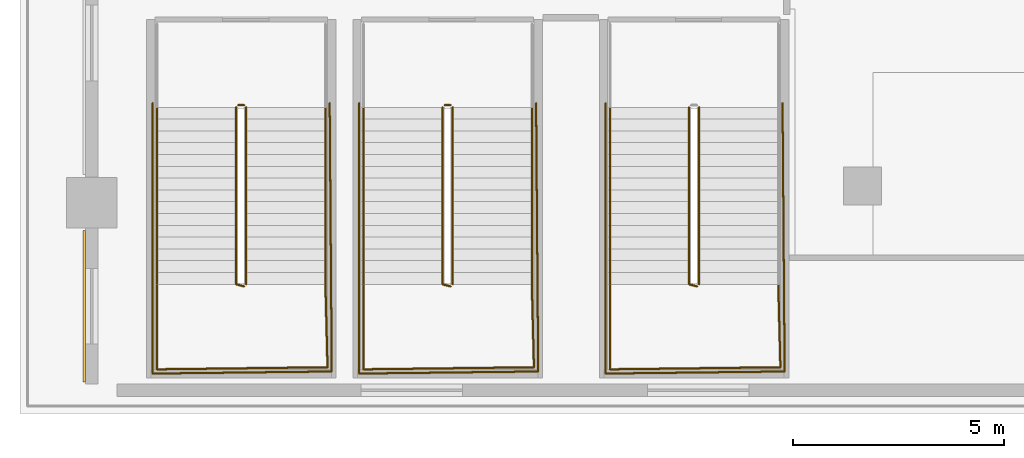
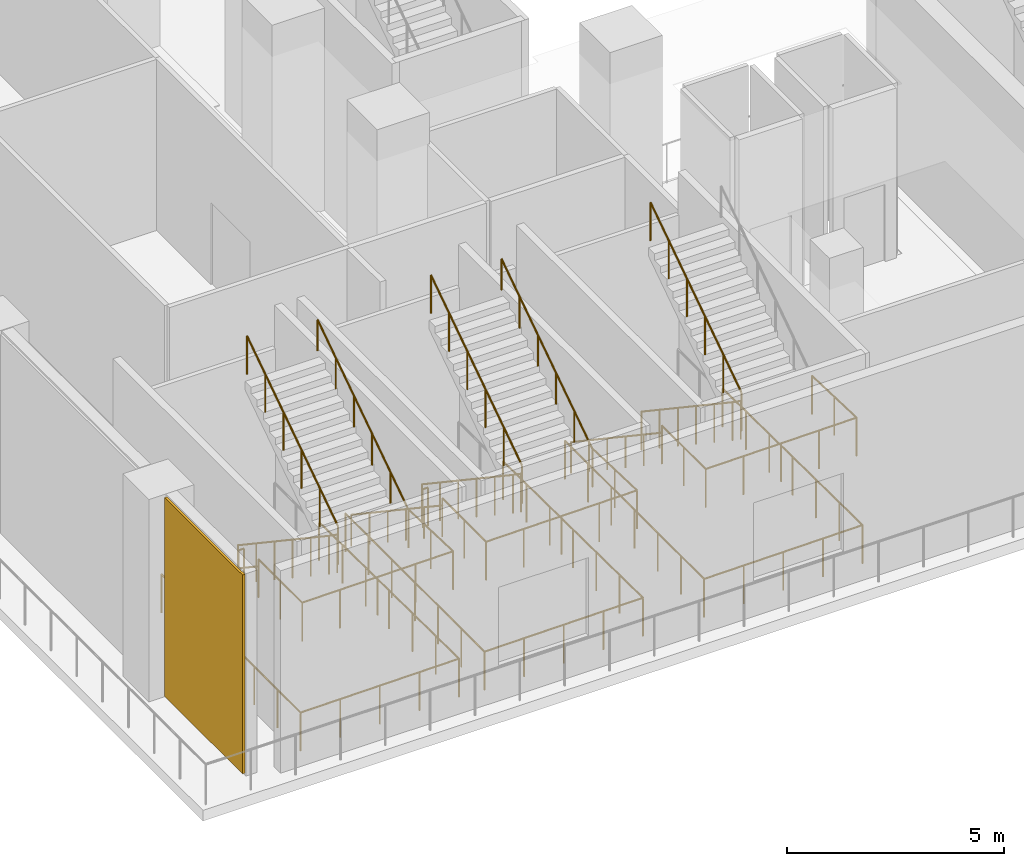
# One storey, part 15 of 29: 19 railings, 1 covering.
"""IFC4 building model written with IfcOpenShell, lengths in metres."""

from ifc_helpers import new_model, si_unit, direction, frame, origin, origin_2d, place, context, subcontext, project, spatial, rectangle, circle, extrude, material, layer, layer_set, type_object, element, save


model = new_model("IFC4")

# Units and contexts
model_context = context("Model", 3, precision=1e-05, world=origin(), true_north=direction((0.0, 1.0)))
body_context = subcontext(model_context, "Body", "Model", "MODEL_VIEW")
ifc_project = project(units=[si_unit("LENGTHUNIT", "METRE"), si_unit("AREAUNIT", "SQUARE_METRE"), si_unit("VOLUMEUNIT", "CUBIC_METRE"), si_unit("PLANEANGLEUNIT", "RADIAN"), si_unit("MASSUNIT", "GRAM", prefix="KILO")], contexts=[model_context])

# Site, building, storey
site_placement = place(None, origin())
site = spatial("IfcSite", under=ifc_project, at=site_placement, CompositionType="ELEMENT")
building_placement = place(site_placement, origin())
building = spatial("IfcBuilding", under=site, at=building_placement, Name="Ndaravel Arena Tower", CompositionType="ELEMENT")
storey_placement = place(building_placement, frame((0.0, 0.0, 12.0)))
storey = spatial("IfcBuildingStorey", under=building, at=storey_placement, Name="L02", CompositionType="ELEMENT", Elevation=12.0)

# Covering
ifc_material_1 = material(Name="Masonry", Category="masonry")
ifc_layer_1 = layer(ifc_material_1, 0.06005859375)
ifc_layer_set_1 = layer_set([ifc_layer_1], Name="Masonry")
covering_type = type_object("IfcCoveringType", Name="COV-STONE-CLAD", PredefinedType="CLADDING", material=ifc_layer_set_1)
covering_placement = place(storey_placement, frame((1.52001953125, 2.550048828125, 0.050048828125), z_axis=(0.0, 0.0, 1.0), x_axis=(1.0, 0.0, 0.0)))
element("IfcCovering", 1, at=covering_placement, inside=storey, type_object=covering_type, Name="L02 Honed Mazeras Ashlar Panel W1", PredefinedType="CLADDING", context=body_context, shape_type="SweptSolid", body=[
    extrude(rectangle(XDim=0.06005859375, YDim=3.60009765625, at=origin_2d()), origin(), (0.0, 0.0, 1.0), 5.60009765625),
])

# Railings
ifc_material_2 = material(Name="Steel S355", Category="steel")
ifc_layer_2 = layer(ifc_material_2, 0.06005859375)
ifc_layer_set_2 = layer_set([ifc_layer_2], Name="Steel S355")
railing_type_1 = type_object("IfcRailingType", Name="RAIL-STAIR-GD1100", PredefinedType="GUARDRAIL", material=ifc_layer_set_2)
railing_1_placement = place(storey_placement, frame((5.1298828125, 7.27001953125, 0.1875)))
element("IfcRailing", 2, at=railing_1_placement, inside=storey, type_object=railing_type_1, Name="L02 ST-A01 stair guard 1", PredefinedType="GUARDRAIL", context=body_context, shape_type="SweptSolid", body=[
    extrude(circle(Radius=0.02392578125, at=origin_2d()), frame((0.0, 0.0, 1.076171875), z_axis=(0.0, -0.830904186295, 0.556415522067), x_axis=(1.0, 0.0, 0.0)), (0.0, 0.0, 1.0), 5.0546875),
    extrude(circle(Radius=0.02392578125, at=origin_2d()), frame((0.0, -4.199951171875, 3.888671875), z_axis=(0.967074537263, -0.25449329928, 0.0), x_axis=(0.25449329928, 0.967074537263, 0.0)), (0.0, 0.0, 1.0), 0.19677734375),
    extrude(circle(Radius=0.02099609375, at=origin_2d()), origin(), (0.0, 0.0, 1.0), 1.052001953125),
    extrude(circle(Radius=0.02099609375, at=origin_2d()), frame((0.0, -0.840087890625, 0.5625)), (0.0, 0.0, 1.0), 1.052001953125),
    extrude(circle(Radius=0.02099609375, at=origin_2d()), frame((0.0, -1.679931640625, 1.125)), (0.0, 0.0, 1.0), 1.052001953125),
    extrude(circle(Radius=0.02099609375, at=origin_2d()), frame((0.0, -2.52001953125, 1.6875)), (0.0, 0.0, 1.0), 1.052001953125),
    extrude(circle(Radius=0.02099609375, at=origin_2d()), frame((0.0, -3.35986328125, 2.25)), (0.0, 0.0, 1.0), 1.052001953125),
    extrude(circle(Radius=0.02099609375, at=origin_2d()), frame((0.0, -4.199951171875, 2.8125)), (0.0, 0.0, 1.0), 1.052001953125),
    extrude(circle(Radius=0.02099609375, at=origin_2d()), frame((0.190185546875, -4.25, 2.8125)), (0.0, 0.0, 1.0), 1.052001953125),
])
railing_2_placement = place(storey_placement, frame((3.25, 3.070068359375, 3.0)))
element("IfcRailing", 3, at=railing_2_placement, inside=storey, type_object=railing_type_1, Name="L02 ST-A01 stair guard 2", PredefinedType="GUARDRAIL", context=body_context, shape_type="SweptSolid", body=[
    extrude(circle(Radius=0.02392578125, at=origin_2d()), frame((0.0, 0.0, 1.076171875), z_axis=(0.0, -1.0, 0.0), x_axis=(1.0, 0.0, 0.0)), (0.0, 0.0, 1.0), 2.02001953125),
    extrude(circle(Radius=0.02392578125, at=origin_2d()), frame((0.0, -2.02001953125, 1.076171875), z_axis=(0.999923653774, 0.012356642897, 0.0), x_axis=(-0.012356642897, 0.999923653774, 0.0)), (0.0, 0.0, 1.0), 4.05029296875),
    extrude(circle(Radius=0.02392578125, at=origin_2d()), frame((4.050048828125, -1.969970703125, 1.076171875), z_axis=(-0.025397679083, 0.999677426922, 0.0), x_axis=(-0.999677426922, -0.025397679083, 0.0)), (0.0, 0.0, 1.0), 1.970703125),
    extrude(circle(Radius=0.02099609375, at=origin_2d()), origin(), (0.0, 0.0, 1.0), 1.052001953125),
    extrude(circle(Radius=0.02099609375, at=origin_2d()), frame((0.0, -1.010009765625, 0.0)), (0.0, 0.0, 1.0), 1.052001953125),
    extrude(circle(Radius=0.02099609375, at=origin_2d()), frame((0.0, -2.02001953125, 0.0)), (0.0, 0.0, 1.0), 1.052001953125),
    extrude(circle(Radius=0.02099609375, at=origin_2d()), frame((1.012451171875, -2.007568359375, 0.0)), (0.0, 0.0, 1.0), 1.052001953125),
    extrude(circle(Radius=0.02099609375, at=origin_2d()), frame((2.02490234375, -1.9951171875, 0.0)), (0.0, 0.0, 1.0), 1.052001953125),
    extrude(circle(Radius=0.02099609375, at=origin_2d()), frame((3.03759765625, -1.982421875, 0.0)), (0.0, 0.0, 1.0), 1.052001953125),
    extrude(circle(Radius=0.02099609375, at=origin_2d()), frame((4.050048828125, -1.969970703125, 0.0)), (0.0, 0.0, 1.0), 1.052001953125),
    extrude(circle(Radius=0.02099609375, at=origin_2d()), frame((4.02490234375, -0.98486328125, 0.0)), (0.0, 0.0, 1.0), 1.052001953125),
    extrude(circle(Radius=0.02099609375, at=origin_2d()), frame((4.0, 0.0, 0.0)), (0.0, 0.0, 1.0), 1.052001953125),
])
railing_3_placement = place(storey_placement, frame((5.3701171875, 3.070068359375, 3.1875)))
element("IfcRailing", 4, at=railing_3_placement, inside=storey, type_object=railing_type_1, Name="L02 ST-A01 stair guard 3", PredefinedType="GUARDRAIL", context=body_context, shape_type="SweptSolid", body=[
    extrude(circle(Radius=0.02392578125, at=origin_2d()), frame((0.0, 0.0, 1.076171875), z_axis=(0.0, 0.830904186295, 0.556415522067), x_axis=(-1.0, 0.0, 0.0)), (0.0, 0.0, 1.0), 5.0546875),
    extrude(circle(Radius=0.02099609375, at=origin_2d()), origin(), (0.0, 0.0, 1.0), 1.052001953125),
    extrude(circle(Radius=0.02099609375, at=origin_2d()), frame((0.0, 0.840087890625, 0.5625)), (0.0, 0.0, 1.0), 1.052001953125),
    extrude(circle(Radius=0.02099609375, at=origin_2d()), frame((0.0, 1.679931640625, 1.125)), (0.0, 0.0, 1.0), 1.052001953125),
    extrude(circle(Radius=0.02099609375, at=origin_2d()), frame((0.0, 2.52001953125, 1.6875)), (0.0, 0.0, 1.0), 1.052001953125),
    extrude(circle(Radius=0.02099609375, at=origin_2d()), frame((0.0, 3.35986328125, 2.25)), (0.0, 0.0, 1.0), 1.052001953125),
    extrude(circle(Radius=0.02099609375, at=origin_2d()), frame((0.0, 4.199951171875, 2.8125)), (0.0, 0.0, 1.0), 1.052001953125),
])
railing_4_placement = place(storey_placement, frame((5.179931640625, 7.320068359375, 0.0)))
element("IfcRailing", 5, at=railing_4_placement, inside=storey, type_object=railing_type_1, Name="L02 ST-A01 stair guard 4", PredefinedType="GUARDRAIL", context=body_context, shape_type="SweptSolid", body=[
    extrude(circle(Radius=0.02392578125, at=origin_2d()), frame((0.0, 0.0, 1.076171875), z_axis=(1.0, 0.0, 0.0), x_axis=(0.0, 1.0, 0.0)), (0.0, 0.0, 1.0), 0.14013671875),
    extrude(circle(Radius=0.02099609375, at=origin_2d()), origin(), (0.0, 0.0, 1.0), 1.052001953125),
    extrude(circle(Radius=0.02099609375, at=origin_2d()), frame((0.14013671875, 0.0, 0.0)), (0.0, 0.0, 1.0), 1.052001953125),
])
railing_5_placement = place(storey_placement, frame((3.14990234375, 7.3701171875, 0.0)))
element("IfcRailing", 6, at=railing_5_placement, inside=storey, type_object=railing_type_1, Name="L02 ST-A01 stair guard 7", PredefinedType="GUARDRAIL", context=body_context, shape_type="SweptSolid", body=[
    extrude(circle(Radius=0.02392578125, at=origin_2d()), frame((0.0, 0.0, 1.076171875), z_axis=(0.0, -1.0, 0.0), x_axis=(1.0, 0.0, 0.0)), (0.0, 0.0, 1.0), 6.420166015625),
    extrude(circle(Radius=0.02392578125, at=origin_2d()), frame((0.0, -6.420166015625, 1.076171875), z_axis=(0.999930667828, 0.011775378384, 0.0), x_axis=(-0.011775378384, 0.999930667828, 0.0)), (0.0, 0.0, 1.0), 4.250244140625),
    extrude(circle(Radius=0.02392578125, at=origin_2d()), frame((4.25, -6.3701171875, 1.076171875), z_axis=(-0.007818249469, 0.999969437021, 0.0), x_axis=(-0.999969437021, -0.007818249469, 0.0)), (0.0, 0.0, 1.0), 6.370361328125),
    extrude(circle(Radius=0.02099609375, at=origin_2d()), origin(), (0.0, 0.0, 1.0), 1.052001953125),
    extrude(circle(Radius=0.02099609375, at=origin_2d()), frame((0.0, -1.070068359375, 0.0)), (0.0, 0.0, 1.0), 1.052001953125),
    extrude(circle(Radius=0.02099609375, at=origin_2d()), frame((0.0, -2.14013671875, 0.0)), (0.0, 0.0, 1.0), 1.052001953125),
    extrude(circle(Radius=0.02099609375, at=origin_2d()), frame((0.0, -3.2099609375, 0.0)), (0.0, 0.0, 1.0), 1.052001953125),
    extrude(circle(Radius=0.02099609375, at=origin_2d()), frame((0.0, -4.280029296875, 0.0)), (0.0, 0.0, 1.0), 1.052001953125),
    extrude(circle(Radius=0.02099609375, at=origin_2d()), frame((0.0, -5.35009765625, 0.0)), (0.0, 0.0, 1.0), 1.052001953125),
    extrude(circle(Radius=0.02099609375, at=origin_2d()), frame((0.0, -6.420166015625, 0.0)), (0.0, 0.0, 1.0), 1.052001953125),
    extrude(circle(Radius=0.02099609375, at=origin_2d()), frame((1.0625, -6.40771484375, 0.0)), (0.0, 0.0, 1.0), 1.052001953125),
    extrude(circle(Radius=0.02099609375, at=origin_2d()), frame((2.125, -6.39501953125, 0.0)), (0.0, 0.0, 1.0), 1.052001953125),
    extrude(circle(Radius=0.02099609375, at=origin_2d()), frame((3.1875, -6.382568359375, 0.0)), (0.0, 0.0, 1.0), 1.052001953125),
    extrude(circle(Radius=0.02099609375, at=origin_2d()), frame((4.25, -6.3701171875, 0.0)), (0.0, 0.0, 1.0), 1.052001953125),
    extrude(circle(Radius=0.02099609375, at=origin_2d()), frame((4.24169921875, -5.308349609375, 0.0)), (0.0, 0.0, 1.0), 1.052001953125),
    extrude(circle(Radius=0.02099609375, at=origin_2d()), frame((4.2333984375, -4.246826171875, 0.0)), (0.0, 0.0, 1.0), 1.052001953125),
    extrude(circle(Radius=0.02099609375, at=origin_2d()), frame((4.22509765625, -3.18505859375, 0.0)), (0.0, 0.0, 1.0), 1.052001953125),
    extrude(circle(Radius=0.02099609375, at=origin_2d()), frame((4.216796875, -2.123291015625, 0.0)), (0.0, 0.0, 1.0), 1.052001953125),
    extrude(circle(Radius=0.02099609375, at=origin_2d()), frame((4.20849609375, -1.061767578125, 0.0)), (0.0, 0.0, 1.0), 1.052001953125),
    extrude(circle(Radius=0.02099609375, at=origin_2d()), frame((4.2001953125, 0.0, 0.0)), (0.0, 0.0, 1.0), 1.052001953125),
])
railing_6_placement = place(storey_placement, frame((10.030029296875, 7.27001953125, 0.1875)))
element("IfcRailing", 7, at=railing_6_placement, inside=storey, type_object=railing_type_1, Name="L02 ST-A02 stair guard 1", PredefinedType="GUARDRAIL", context=body_context, shape_type="SweptSolid", body=[
    extrude(circle(Radius=0.02392578125, at=origin_2d()), frame((0.0, 0.0, 1.076171875), z_axis=(0.0, -0.830904186295, 0.556415522067), x_axis=(1.0, 0.0, 0.0)), (0.0, 0.0, 1.0), 5.0546875),
    extrude(circle(Radius=0.02392578125, at=origin_2d()), frame((0.0, -4.199951171875, 3.888671875), z_axis=(0.966993988697, -0.254799187253, 0.0), x_axis=(0.254799187253, 0.966993988697, 0.0)), (0.0, 0.0, 1.0), 0.196533203125),
    extrude(circle(Radius=0.02099609375, at=origin_2d()), origin(), (0.0, 0.0, 1.0), 1.052001953125),
    extrude(circle(Radius=0.02099609375, at=origin_2d()), frame((0.0, -0.840087890625, 0.5625)), (0.0, 0.0, 1.0), 1.052001953125),
    extrude(circle(Radius=0.02099609375, at=origin_2d()), frame((0.0, -1.679931640625, 1.125)), (0.0, 0.0, 1.0), 1.052001953125),
    extrude(circle(Radius=0.02099609375, at=origin_2d()), frame((0.0, -2.52001953125, 1.6875)), (0.0, 0.0, 1.0), 1.052001953125),
    extrude(circle(Radius=0.02099609375, at=origin_2d()), frame((0.0, -3.35986328125, 2.25)), (0.0, 0.0, 1.0), 1.052001953125),
    extrude(circle(Radius=0.02099609375, at=origin_2d()), frame((0.0, -4.199951171875, 2.8125)), (0.0, 0.0, 1.0), 1.052001953125),
    extrude(circle(Radius=0.02099609375, at=origin_2d()), frame((0.18994140625, -4.25, 2.8125)), (0.0, 0.0, 1.0), 1.052001953125),
])
railing_7_placement = place(storey_placement, frame((8.14990234375, 3.070068359375, 3.0)))
element("IfcRailing", 8, at=railing_7_placement, inside=storey, type_object=railing_type_1, Name="L02 ST-A02 stair guard 2", PredefinedType="GUARDRAIL", context=body_context, shape_type="SweptSolid", body=[
    extrude(circle(Radius=0.02392578125, at=origin_2d()), frame((0.0, 0.0, 1.076171875), z_axis=(0.0, -1.0, 0.0), x_axis=(1.0, 0.0, 0.0)), (0.0, 0.0, 1.0), 2.02001953125),
    extrude(circle(Radius=0.02392578125, at=origin_2d()), frame((0.0, -2.02001953125, 1.076171875), z_axis=(0.999923653774, 0.012356642897, 0.0), x_axis=(-0.012356642897, 0.999923653774, 0.0)), (0.0, 0.0, 1.0), 4.05029296875),
    extrude(circle(Radius=0.02392578125, at=origin_2d()), frame((4.050048828125, -1.969970703125, 1.076171875), z_axis=(-0.025397679083, 0.999677426922, 0.0), x_axis=(-0.999677426922, -0.025397679083, 0.0)), (0.0, 0.0, 1.0), 1.970703125),
    extrude(circle(Radius=0.02099609375, at=origin_2d()), origin(), (0.0, 0.0, 1.0), 1.052001953125),
    extrude(circle(Radius=0.02099609375, at=origin_2d()), frame((0.0, -1.010009765625, 0.0)), (0.0, 0.0, 1.0), 1.052001953125),
    extrude(circle(Radius=0.02099609375, at=origin_2d()), frame((0.0, -2.02001953125, 0.0)), (0.0, 0.0, 1.0), 1.052001953125),
    extrude(circle(Radius=0.02099609375, at=origin_2d()), frame((1.012451171875, -2.007568359375, 0.0)), (0.0, 0.0, 1.0), 1.052001953125),
    extrude(circle(Radius=0.02099609375, at=origin_2d()), frame((2.02490234375, -1.9951171875, 0.0)), (0.0, 0.0, 1.0), 1.052001953125),
    extrude(circle(Radius=0.02099609375, at=origin_2d()), frame((3.03759765625, -1.982421875, 0.0)), (0.0, 0.0, 1.0), 1.052001953125),
    extrude(circle(Radius=0.02099609375, at=origin_2d()), frame((4.050048828125, -1.969970703125, 0.0)), (0.0, 0.0, 1.0), 1.052001953125),
    extrude(circle(Radius=0.02099609375, at=origin_2d()), frame((4.02490234375, -0.98486328125, 0.0)), (0.0, 0.0, 1.0), 1.052001953125),
    extrude(circle(Radius=0.02099609375, at=origin_2d()), frame((4.0, 0.0, 0.0)), (0.0, 0.0, 1.0), 1.052001953125),
])
railing_8_placement = place(storey_placement, frame((10.27001953125, 3.070068359375, 3.1875)))
element("IfcRailing", 9, at=railing_8_placement, inside=storey, type_object=railing_type_1, Name="L02 ST-A02 stair guard 3", PredefinedType="GUARDRAIL", context=body_context, shape_type="SweptSolid", body=[
    extrude(circle(Radius=0.02392578125, at=origin_2d()), frame((0.0, 0.0, 1.076171875), z_axis=(0.0, 0.830904186295, 0.556415522067), x_axis=(-1.0, 0.0, 0.0)), (0.0, 0.0, 1.0), 5.0546875),
    extrude(circle(Radius=0.02099609375, at=origin_2d()), origin(), (0.0, 0.0, 1.0), 1.052001953125),
    extrude(circle(Radius=0.02099609375, at=origin_2d()), frame((0.0, 0.840087890625, 0.5625)), (0.0, 0.0, 1.0), 1.052001953125),
    extrude(circle(Radius=0.02099609375, at=origin_2d()), frame((0.0, 1.679931640625, 1.125)), (0.0, 0.0, 1.0), 1.052001953125),
    extrude(circle(Radius=0.02099609375, at=origin_2d()), frame((0.0, 2.52001953125, 1.6875)), (0.0, 0.0, 1.0), 1.052001953125),
    extrude(circle(Radius=0.02099609375, at=origin_2d()), frame((0.0, 3.35986328125, 2.25)), (0.0, 0.0, 1.0), 1.052001953125),
    extrude(circle(Radius=0.02099609375, at=origin_2d()), frame((0.0, 4.199951171875, 2.8125)), (0.0, 0.0, 1.0), 1.052001953125),
])
railing_9_placement = place(storey_placement, frame((10.080078125, 7.320068359375, 0.0)))
element("IfcRailing", 10, at=railing_9_placement, inside=storey, type_object=railing_type_1, Name="L02 ST-A02 stair guard 4", PredefinedType="GUARDRAIL", context=body_context, shape_type="SweptSolid", body=[
    extrude(circle(Radius=0.02392578125, at=origin_2d()), frame((0.0, 0.0, 1.076171875), z_axis=(1.0, 0.0, 0.0), x_axis=(0.0, 1.0, 0.0)), (0.0, 0.0, 1.0), 0.139892578125),
    extrude(circle(Radius=0.02099609375, at=origin_2d()), origin(), (0.0, 0.0, 1.0), 1.052001953125),
    extrude(circle(Radius=0.02099609375, at=origin_2d()), frame((0.139892578125, 0.0, 0.0)), (0.0, 0.0, 1.0), 1.052001953125),
])
railing_10_placement = place(storey_placement, frame((8.050048828125, 7.3701171875, 0.0)))
element("IfcRailing", 11, at=railing_10_placement, inside=storey, type_object=railing_type_1, Name="L02 ST-A02 stair guard 7", PredefinedType="GUARDRAIL", context=body_context, shape_type="SweptSolid", body=[
    extrude(circle(Radius=0.02392578125, at=origin_2d()), frame((0.0, 0.0, 1.076171875), z_axis=(0.0, -1.0, 0.0), x_axis=(1.0, 0.0, 0.0)), (0.0, 0.0, 1.0), 6.420166015625),
    extrude(circle(Radius=0.02392578125, at=origin_2d()), frame((0.0, -6.420166015625, 1.076171875), z_axis=(0.999930667828, 0.011775378384, 0.0), x_axis=(-0.011775378384, 0.999930667828, 0.0)), (0.0, 0.0, 1.0), 4.250244140625),
    extrude(circle(Radius=0.02392578125, at=origin_2d()), frame((4.25, -6.3701171875, 1.076171875), z_axis=(-0.007856571862, 0.999969136663, 0.0), x_axis=(-0.999969136663, -0.007856571862, 0.0)), (0.0, 0.0, 1.0), 6.370361328125),
    extrude(circle(Radius=0.02099609375, at=origin_2d()), origin(), (0.0, 0.0, 1.0), 1.052001953125),
    extrude(circle(Radius=0.02099609375, at=origin_2d()), frame((0.0, -1.070068359375, 0.0)), (0.0, 0.0, 1.0), 1.052001953125),
    extrude(circle(Radius=0.02099609375, at=origin_2d()), frame((0.0, -2.14013671875, 0.0)), (0.0, 0.0, 1.0), 1.052001953125),
    extrude(circle(Radius=0.02099609375, at=origin_2d()), frame((0.0, -3.2099609375, 0.0)), (0.0, 0.0, 1.0), 1.052001953125),
    extrude(circle(Radius=0.02099609375, at=origin_2d()), frame((0.0, -4.280029296875, 0.0)), (0.0, 0.0, 1.0), 1.052001953125),
    extrude(circle(Radius=0.02099609375, at=origin_2d()), frame((0.0, -5.35009765625, 0.0)), (0.0, 0.0, 1.0), 1.052001953125),
    extrude(circle(Radius=0.02099609375, at=origin_2d()), frame((0.0, -6.420166015625, 0.0)), (0.0, 0.0, 1.0), 1.052001953125),
    extrude(circle(Radius=0.02099609375, at=origin_2d()), frame((1.0625, -6.40771484375, 0.0)), (0.0, 0.0, 1.0), 1.052001953125),
    extrude(circle(Radius=0.02099609375, at=origin_2d()), frame((2.125, -6.39501953125, 0.0)), (0.0, 0.0, 1.0), 1.052001953125),
    extrude(circle(Radius=0.02099609375, at=origin_2d()), frame((3.1875, -6.382568359375, 0.0)), (0.0, 0.0, 1.0), 1.052001953125),
    extrude(circle(Radius=0.02099609375, at=origin_2d()), frame((4.25, -6.3701171875, 0.0)), (0.0, 0.0, 1.0), 1.052001953125),
    extrude(circle(Radius=0.02099609375, at=origin_2d()), frame((4.24169921875, -5.308349609375, 0.0)), (0.0, 0.0, 1.0), 1.052001953125),
    extrude(circle(Radius=0.02099609375, at=origin_2d()), frame((4.2333984375, -4.246826171875, 0.0)), (0.0, 0.0, 1.0), 1.052001953125),
    extrude(circle(Radius=0.02099609375, at=origin_2d()), frame((4.22509765625, -3.18505859375, 0.0)), (0.0, 0.0, 1.0), 1.052001953125),
    extrude(circle(Radius=0.02099609375, at=origin_2d()), frame((4.216552734375, -2.123291015625, 0.0)), (0.0, 0.0, 1.0), 1.052001953125),
    extrude(circle(Radius=0.02099609375, at=origin_2d()), frame((4.208251953125, -1.061767578125, 0.0)), (0.0, 0.0, 1.0), 1.052001953125),
    extrude(circle(Radius=0.02099609375, at=origin_2d()), frame((4.199951171875, 0.0, 0.0)), (0.0, 0.0, 1.0), 1.052001953125),
])
railing_11_placement = place(storey_placement, frame((15.8798828125, 7.27001953125, 0.1875)))
element("IfcRailing", 12, at=railing_11_placement, inside=storey, type_object=railing_type_1, Name="L02 ST-A03 stair guard 1", PredefinedType="GUARDRAIL", context=body_context, shape_type="SweptSolid", body=[
    extrude(circle(Radius=0.02392578125, at=origin_2d()), frame((0.0, 0.0, 1.076171875), z_axis=(0.0, -0.830904186295, 0.556415522067), x_axis=(1.0, 0.0, 0.0)), (0.0, 0.0, 1.0), 5.0546875),
    extrude(circle(Radius=0.02392578125, at=origin_2d()), frame((0.0, -4.199951171875, 3.888671875), z_axis=(0.967074537263, -0.25449329928, 0.0), x_axis=(0.25449329928, 0.967074537263, 0.0)), (0.0, 0.0, 1.0), 0.19677734375),
    extrude(circle(Radius=0.02099609375, at=origin_2d()), origin(), (0.0, 0.0, 1.0), 1.052001953125),
    extrude(circle(Radius=0.02099609375, at=origin_2d()), frame((0.0, -0.840087890625, 0.5625)), (0.0, 0.0, 1.0), 1.052001953125),
    extrude(circle(Radius=0.02099609375, at=origin_2d()), frame((0.0, -1.679931640625, 1.125)), (0.0, 0.0, 1.0), 1.052001953125),
    extrude(circle(Radius=0.02099609375, at=origin_2d()), frame((0.0, -2.52001953125, 1.6875)), (0.0, 0.0, 1.0), 1.052001953125),
    extrude(circle(Radius=0.02099609375, at=origin_2d()), frame((0.0, -3.35986328125, 2.25)), (0.0, 0.0, 1.0), 1.052001953125),
    extrude(circle(Radius=0.02099609375, at=origin_2d()), frame((0.0, -4.199951171875, 2.8125)), (0.0, 0.0, 1.0), 1.052001953125),
    extrude(circle(Radius=0.02099609375, at=origin_2d()), frame((0.190185546875, -4.25, 2.8125)), (0.0, 0.0, 1.0), 1.052001953125),
])
railing_12_placement = place(storey_placement, frame((14.0, 3.070068359375, 3.0)))
element("IfcRailing", 13, at=railing_12_placement, inside=storey, type_object=railing_type_1, Name="L02 ST-A03 stair guard 2", PredefinedType="GUARDRAIL", context=body_context, shape_type="SweptSolid", body=[
    extrude(circle(Radius=0.02392578125, at=origin_2d()), frame((0.0, 0.0, 1.076171875), z_axis=(0.0, -1.0, 0.0), x_axis=(1.0, 0.0, 0.0)), (0.0, 0.0, 1.0), 2.02001953125),
    extrude(circle(Radius=0.02392578125, at=origin_2d()), frame((0.0, -2.02001953125, 1.076171875), z_axis=(0.999923653774, 0.012356642897, 0.0), x_axis=(-0.012356642897, 0.999923653774, 0.0)), (0.0, 0.0, 1.0), 4.05029296875),
    extrude(circle(Radius=0.02392578125, at=origin_2d()), frame((4.050048828125, -1.969970703125, 1.076171875), z_axis=(-0.025397679083, 0.999677426922, 0.0), x_axis=(-0.999677426922, -0.025397679083, 0.0)), (0.0, 0.0, 1.0), 1.970703125),
    extrude(circle(Radius=0.02099609375, at=origin_2d()), origin(), (0.0, 0.0, 1.0), 1.052001953125),
    extrude(circle(Radius=0.02099609375, at=origin_2d()), frame((0.0, -1.010009765625, 0.0)), (0.0, 0.0, 1.0), 1.052001953125),
    extrude(circle(Radius=0.02099609375, at=origin_2d()), frame((0.0, -2.02001953125, 0.0)), (0.0, 0.0, 1.0), 1.052001953125),
    extrude(circle(Radius=0.02099609375, at=origin_2d()), frame((1.012451171875, -2.007568359375, 0.0)), (0.0, 0.0, 1.0), 1.052001953125),
    extrude(circle(Radius=0.02099609375, at=origin_2d()), frame((2.02490234375, -1.9951171875, 0.0)), (0.0, 0.0, 1.0), 1.052001953125),
    extrude(circle(Radius=0.02099609375, at=origin_2d()), frame((3.03759765625, -1.982421875, 0.0)), (0.0, 0.0, 1.0), 1.052001953125),
    extrude(circle(Radius=0.02099609375, at=origin_2d()), frame((4.050048828125, -1.969970703125, 0.0)), (0.0, 0.0, 1.0), 1.052001953125),
    extrude(circle(Radius=0.02099609375, at=origin_2d()), frame((4.02490234375, -0.98486328125, 0.0)), (0.0, 0.0, 1.0), 1.052001953125),
    extrude(circle(Radius=0.02099609375, at=origin_2d()), frame((4.0, 0.0, 0.0)), (0.0, 0.0, 1.0), 1.052001953125),
])
railing_13_placement = place(storey_placement, frame((16.1201171875, 3.070068359375, 3.1875)))
element("IfcRailing", 14, at=railing_13_placement, inside=storey, type_object=railing_type_1, Name="L02 ST-A03 stair guard 3", PredefinedType="GUARDRAIL", context=body_context, shape_type="SweptSolid", body=[
    extrude(circle(Radius=0.02392578125, at=origin_2d()), frame((0.0, 0.0, 1.076171875), z_axis=(0.0, 0.830904186295, 0.556415522067), x_axis=(-1.0, 0.0, 0.0)), (0.0, 0.0, 1.0), 5.0546875),
    extrude(circle(Radius=0.02099609375, at=origin_2d()), origin(), (0.0, 0.0, 1.0), 1.052001953125),
    extrude(circle(Radius=0.02099609375, at=origin_2d()), frame((0.0, 0.840087890625, 0.5625)), (0.0, 0.0, 1.0), 1.052001953125),
    extrude(circle(Radius=0.02099609375, at=origin_2d()), frame((0.0, 1.679931640625, 1.125)), (0.0, 0.0, 1.0), 1.052001953125),
    extrude(circle(Radius=0.02099609375, at=origin_2d()), frame((0.0, 2.52001953125, 1.6875)), (0.0, 0.0, 1.0), 1.052001953125),
    extrude(circle(Radius=0.02099609375, at=origin_2d()), frame((0.0, 3.35986328125, 2.25)), (0.0, 0.0, 1.0), 1.052001953125),
    extrude(circle(Radius=0.02099609375, at=origin_2d()), frame((0.0, 4.199951171875, 2.8125)), (0.0, 0.0, 1.0), 1.052001953125),
])
railing_14_placement = place(storey_placement, frame((13.89990234375, 7.3701171875, 0.0)))
element("IfcRailing", 15, at=railing_14_placement, inside=storey, type_object=railing_type_1, Name="L02 ST-A03 stair guard 7", PredefinedType="GUARDRAIL", context=body_context, shape_type="SweptSolid", body=[
    extrude(circle(Radius=0.02392578125, at=origin_2d()), frame((0.0, 0.0, 1.076171875), z_axis=(0.0, -1.0, 0.0), x_axis=(1.0, 0.0, 0.0)), (0.0, 0.0, 1.0), 6.420166015625),
    extrude(circle(Radius=0.02392578125, at=origin_2d()), frame((0.0, -6.420166015625, 1.076171875), z_axis=(0.999930667828, 0.011775378384, 0.0), x_axis=(-0.011775378384, 0.999930667828, 0.0)), (0.0, 0.0, 1.0), 4.250244140625),
    extrude(circle(Radius=0.02392578125, at=origin_2d()), frame((4.25, -6.3701171875, 1.076171875), z_axis=(-0.007818249469, 0.999969437021, 0.0), x_axis=(-0.999969437021, -0.007818249469, 0.0)), (0.0, 0.0, 1.0), 6.370361328125),
    extrude(circle(Radius=0.02099609375, at=origin_2d()), origin(), (0.0, 0.0, 1.0), 1.052001953125),
    extrude(circle(Radius=0.02099609375, at=origin_2d()), frame((0.0, -1.070068359375, 0.0)), (0.0, 0.0, 1.0), 1.052001953125),
    extrude(circle(Radius=0.02099609375, at=origin_2d()), frame((0.0, -2.14013671875, 0.0)), (0.0, 0.0, 1.0), 1.052001953125),
    extrude(circle(Radius=0.02099609375, at=origin_2d()), frame((0.0, -3.2099609375, 0.0)), (0.0, 0.0, 1.0), 1.052001953125),
    extrude(circle(Radius=0.02099609375, at=origin_2d()), frame((0.0, -4.280029296875, 0.0)), (0.0, 0.0, 1.0), 1.052001953125),
    extrude(circle(Radius=0.02099609375, at=origin_2d()), frame((0.0, -5.35009765625, 0.0)), (0.0, 0.0, 1.0), 1.052001953125),
    extrude(circle(Radius=0.02099609375, at=origin_2d()), frame((0.0, -6.420166015625, 0.0)), (0.0, 0.0, 1.0), 1.052001953125),
    extrude(circle(Radius=0.02099609375, at=origin_2d()), frame((1.0625, -6.40771484375, 0.0)), (0.0, 0.0, 1.0), 1.052001953125),
    extrude(circle(Radius=0.02099609375, at=origin_2d()), frame((2.125, -6.39501953125, 0.0)), (0.0, 0.0, 1.0), 1.052001953125),
    extrude(circle(Radius=0.02099609375, at=origin_2d()), frame((3.1875, -6.382568359375, 0.0)), (0.0, 0.0, 1.0), 1.052001953125),
    extrude(circle(Radius=0.02099609375, at=origin_2d()), frame((4.25, -6.3701171875, 0.0)), (0.0, 0.0, 1.0), 1.052001953125),
    extrude(circle(Radius=0.02099609375, at=origin_2d()), frame((4.24169921875, -5.308349609375, 0.0)), (0.0, 0.0, 1.0), 1.052001953125),
    extrude(circle(Radius=0.02099609375, at=origin_2d()), frame((4.2333984375, -4.246826171875, 0.0)), (0.0, 0.0, 1.0), 1.052001953125),
    extrude(circle(Radius=0.02099609375, at=origin_2d()), frame((4.22509765625, -3.18505859375, 0.0)), (0.0, 0.0, 1.0), 1.052001953125),
    extrude(circle(Radius=0.02099609375, at=origin_2d()), frame((4.216796875, -2.123291015625, 0.0)), (0.0, 0.0, 1.0), 1.052001953125),
    extrude(circle(Radius=0.02099609375, at=origin_2d()), frame((4.20849609375, -1.061767578125, 0.0)), (0.0, 0.0, 1.0), 1.052001953125),
    extrude(circle(Radius=0.02099609375, at=origin_2d()), frame((4.2001953125, 0.0, 0.0)), (0.0, 0.0, 1.0), 1.052001953125),
])
ifc_material_3 = material(Name="Steel S355", Category="steel")
ifc_layer_3 = layer(ifc_material_3, 0.050048828125)
ifc_layer_set_3 = layer_set([ifc_layer_3], Name="Steel S355")
railing_type_2 = type_object("IfcRailingType", Name="RAIL-STAIR-HR920", PredefinedType="HANDRAIL", material=ifc_layer_set_3)
railing_15_placement = place(storey_placement, frame((3.25, 7.27001953125, 0.1875)))
element("IfcRailing", 16, at=railing_15_placement, inside=storey, type_object=railing_type_2, Name="L02 ST-A01 stair handrail 1", PredefinedType="HANDRAIL", context=body_context, shape_type="SweptSolid", body=[
    extrude(circle(Radius=0.02392578125, at=origin_2d()), frame((0.0, 0.0, 0.8759765625), z_axis=(0.0, -0.830904186295, 0.556415522067), x_axis=(1.0, 0.0, 0.0)), (0.0, 0.0, 1.0), 5.0546875),
    extrude(circle(Radius=0.02099609375, at=origin_2d()), origin(), (0.0, 0.0, 1.0), 0.851806640625),
    extrude(circle(Radius=0.02099609375, at=origin_2d()), frame((0.0, -0.840087890625, 0.5625)), (0.0, 0.0, 1.0), 0.851806640625),
    extrude(circle(Radius=0.02099609375, at=origin_2d()), frame((0.0, -1.679931640625, 1.125)), (0.0, 0.0, 1.0), 0.851806640625),
    extrude(circle(Radius=0.02099609375, at=origin_2d()), frame((0.0, -2.52001953125, 1.6875)), (0.0, 0.0, 1.0), 0.851806640625),
    extrude(circle(Radius=0.02099609375, at=origin_2d()), frame((0.0, -3.35986328125, 2.25)), (0.0, 0.0, 1.0), 0.851806640625),
    extrude(circle(Radius=0.02099609375, at=origin_2d()), frame((0.0, -4.199951171875, 2.8125)), (0.0, 0.0, 1.0), 0.851806640625),
])
railing_16_placement = place(storey_placement, frame((7.25, 3.070068359375, 3.1875)))
element("IfcRailing", 17, at=railing_16_placement, inside=storey, type_object=railing_type_2, Name="L02 ST-A01 stair handrail 2", PredefinedType="HANDRAIL", context=body_context, shape_type="SweptSolid", body=[
    extrude(circle(Radius=0.02392578125, at=origin_2d()), frame((0.0, 0.0, 0.8759765625), z_axis=(0.0, 0.830904186295, 0.556415522067), x_axis=(-1.0, 0.0, 0.0)), (0.0, 0.0, 1.0), 5.0546875),
    extrude(circle(Radius=0.02099609375, at=origin_2d()), origin(), (0.0, 0.0, 1.0), 0.851806640625),
    extrude(circle(Radius=0.02099609375, at=origin_2d()), frame((0.0, 0.840087890625, 0.5625)), (0.0, 0.0, 1.0), 0.851806640625),
    extrude(circle(Radius=0.02099609375, at=origin_2d()), frame((0.0, 1.679931640625, 1.125)), (0.0, 0.0, 1.0), 0.851806640625),
    extrude(circle(Radius=0.02099609375, at=origin_2d()), frame((0.0, 2.52001953125, 1.6875)), (0.0, 0.0, 1.0), 0.851806640625),
    extrude(circle(Radius=0.02099609375, at=origin_2d()), frame((0.0, 3.35986328125, 2.25)), (0.0, 0.0, 1.0), 0.851806640625),
    extrude(circle(Radius=0.02099609375, at=origin_2d()), frame((0.0, 4.199951171875, 2.8125)), (0.0, 0.0, 1.0), 0.851806640625),
])
railing_17_placement = place(storey_placement, frame((8.14990234375, 7.27001953125, 0.1875)))
element("IfcRailing", 18, at=railing_17_placement, inside=storey, type_object=railing_type_2, Name="L02 ST-A02 stair handrail 1", PredefinedType="HANDRAIL", context=body_context, shape_type="SweptSolid", body=[
    extrude(circle(Radius=0.02392578125, at=origin_2d()), frame((0.0, 0.0, 0.8759765625), z_axis=(0.0, -0.830904186295, 0.556415522067), x_axis=(1.0, 0.0, 0.0)), (0.0, 0.0, 1.0), 5.0546875),
    extrude(circle(Radius=0.02099609375, at=origin_2d()), origin(), (0.0, 0.0, 1.0), 0.851806640625),
    extrude(circle(Radius=0.02099609375, at=origin_2d()), frame((0.0, -0.840087890625, 0.5625)), (0.0, 0.0, 1.0), 0.851806640625),
    extrude(circle(Radius=0.02099609375, at=origin_2d()), frame((0.0, -1.679931640625, 1.125)), (0.0, 0.0, 1.0), 0.851806640625),
    extrude(circle(Radius=0.02099609375, at=origin_2d()), frame((0.0, -2.52001953125, 1.6875)), (0.0, 0.0, 1.0), 0.851806640625),
    extrude(circle(Radius=0.02099609375, at=origin_2d()), frame((0.0, -3.35986328125, 2.25)), (0.0, 0.0, 1.0), 0.851806640625),
    extrude(circle(Radius=0.02099609375, at=origin_2d()), frame((0.0, -4.199951171875, 2.8125)), (0.0, 0.0, 1.0), 0.851806640625),
])
railing_18_placement = place(storey_placement, frame((12.14990234375, 3.070068359375, 3.1875)))
element("IfcRailing", 19, at=railing_18_placement, inside=storey, type_object=railing_type_2, Name="L02 ST-A02 stair handrail 2", PredefinedType="HANDRAIL", context=body_context, shape_type="SweptSolid", body=[
    extrude(circle(Radius=0.02392578125, at=origin_2d()), frame((0.0, 0.0, 0.8759765625), z_axis=(0.0, 0.830904186295, 0.556415522067), x_axis=(-1.0, 0.0, 0.0)), (0.0, 0.0, 1.0), 5.0546875),
    extrude(circle(Radius=0.02099609375, at=origin_2d()), origin(), (0.0, 0.0, 1.0), 0.851806640625),
    extrude(circle(Radius=0.02099609375, at=origin_2d()), frame((0.0, 0.840087890625, 0.5625)), (0.0, 0.0, 1.0), 0.851806640625),
    extrude(circle(Radius=0.02099609375, at=origin_2d()), frame((0.0, 1.679931640625, 1.125)), (0.0, 0.0, 1.0), 0.851806640625),
    extrude(circle(Radius=0.02099609375, at=origin_2d()), frame((0.0, 2.52001953125, 1.6875)), (0.0, 0.0, 1.0), 0.851806640625),
    extrude(circle(Radius=0.02099609375, at=origin_2d()), frame((0.0, 3.35986328125, 2.25)), (0.0, 0.0, 1.0), 0.851806640625),
    extrude(circle(Radius=0.02099609375, at=origin_2d()), frame((0.0, 4.199951171875, 2.8125)), (0.0, 0.0, 1.0), 0.851806640625),
])
railing_19_placement = place(storey_placement, frame((14.0, 7.27001953125, 0.1875)))
element("IfcRailing", 20, at=railing_19_placement, inside=storey, type_object=railing_type_2, Name="L02 ST-A03 stair handrail 1", PredefinedType="HANDRAIL", context=body_context, shape_type="SweptSolid", body=[
    extrude(circle(Radius=0.02392578125, at=origin_2d()), frame((0.0, 0.0, 0.8759765625), z_axis=(0.0, -0.830904186295, 0.556415522067), x_axis=(1.0, 0.0, 0.0)), (0.0, 0.0, 1.0), 5.0546875),
    extrude(circle(Radius=0.02099609375, at=origin_2d()), origin(), (0.0, 0.0, 1.0), 0.851806640625),
    extrude(circle(Radius=0.02099609375, at=origin_2d()), frame((0.0, -0.840087890625, 0.5625)), (0.0, 0.0, 1.0), 0.851806640625),
    extrude(circle(Radius=0.02099609375, at=origin_2d()), frame((0.0, -1.679931640625, 1.125)), (0.0, 0.0, 1.0), 0.851806640625),
    extrude(circle(Radius=0.02099609375, at=origin_2d()), frame((0.0, -2.52001953125, 1.6875)), (0.0, 0.0, 1.0), 0.851806640625),
    extrude(circle(Radius=0.02099609375, at=origin_2d()), frame((0.0, -3.35986328125, 2.25)), (0.0, 0.0, 1.0), 0.851806640625),
    extrude(circle(Radius=0.02099609375, at=origin_2d()), frame((0.0, -4.199951171875, 2.8125)), (0.0, 0.0, 1.0), 0.851806640625),
])

save(model, "model.ifc")
